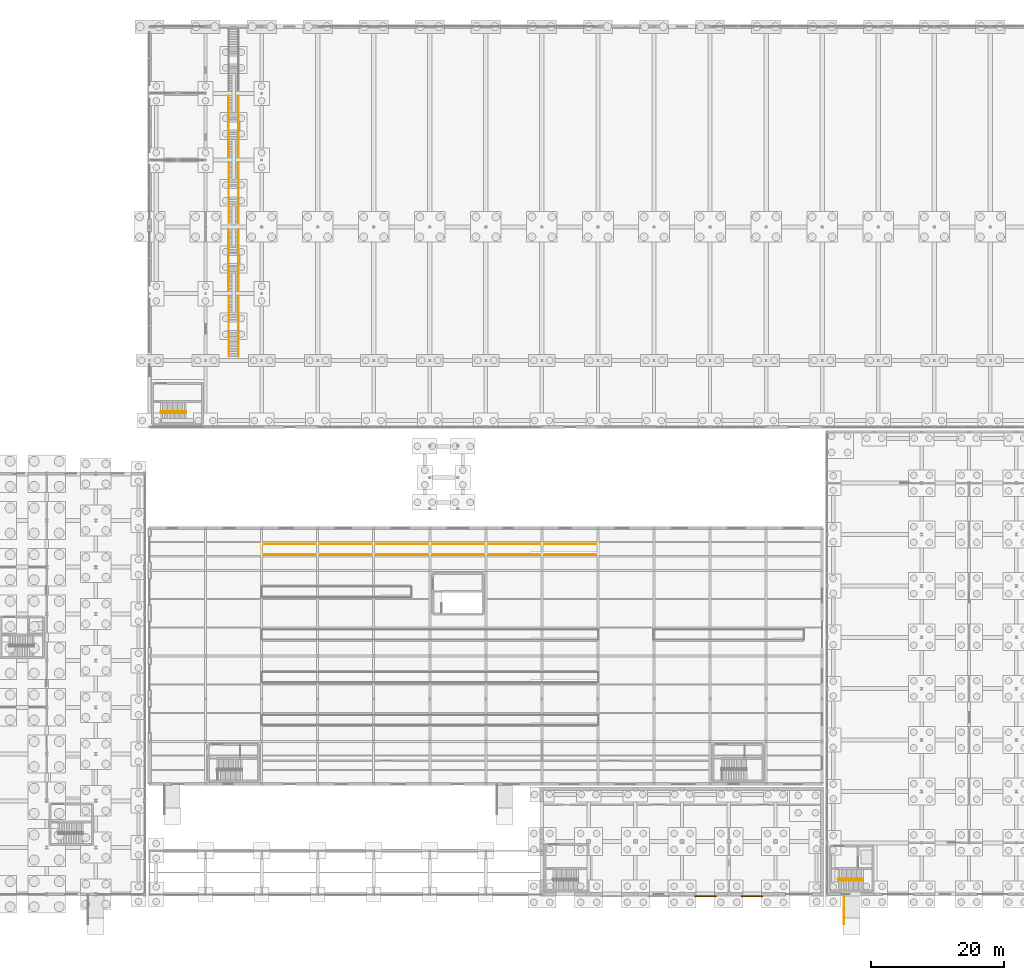
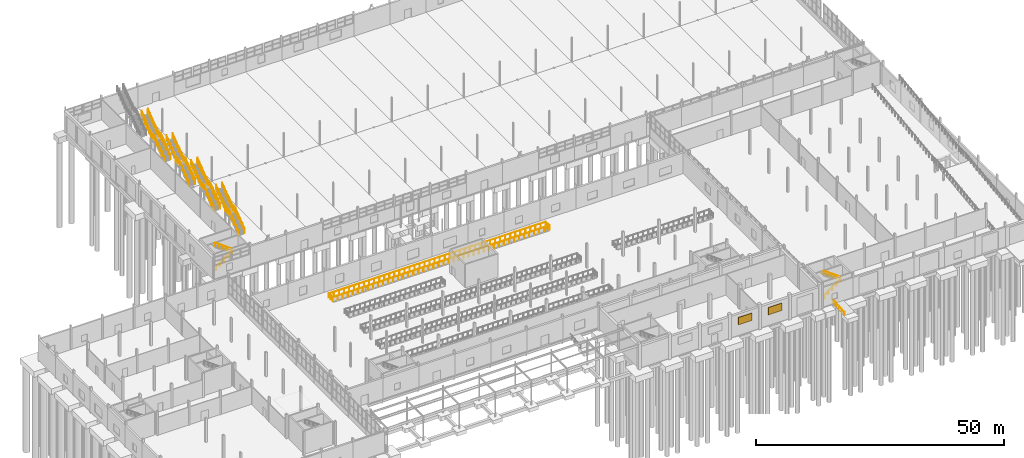
# One storey, part 136 of 139: 18 railings, 2 shading devices.
"""IFC4 building model written with IfcOpenShell, lengths in metres."""

from ifc_helpers import new_model, si_unit, direction, frame, origin, origin_2d, place, context, subcontext, project, spatial, rectangle, circle, extrude, material, layer, layer_set, type_object, element, save


model = new_model("IFC4")

# Units and contexts
model_context = context("Model", 3, precision=1e-05, world=origin(), true_north=direction((0.0, 1.0)))
body_context = subcontext(model_context, "Body", "Model", "MODEL_VIEW")
ifc_project = project(units=[si_unit("LENGTHUNIT", "METRE"), si_unit("AREAUNIT", "SQUARE_METRE"), si_unit("VOLUMEUNIT", "CUBIC_METRE"), si_unit("PLANEANGLEUNIT", "RADIAN"), si_unit("MASSUNIT", "GRAM", prefix="KILO")], contexts=[model_context])

# Site, building, storey
site_placement = place(None, origin())
site = spatial("IfcSite", under=ifc_project, at=site_placement, CompositionType="ELEMENT")
building_placement = place(site_placement, origin())
building = spatial("IfcBuilding", under=site, at=building_placement, Name="Kazenagashi Tramway Depot", CompositionType="ELEMENT")
storey_placement = place(building_placement, origin())
storey = spatial("IfcBuildingStorey", under=building, at=storey_placement, Name="L01", CompositionType="ELEMENT", Elevation=0.0)

# Railings
ifc_material_1 = material(Name="Galvanised Painted Steel Balustrade", Category="steel")
railing_type_1 = type_object("IfcRailingType", Name="GR-01", PredefinedType="GUARDRAIL", material=ifc_material_1)
railing_1_placement = place(storey_placement, frame((61.54, 50.94, 0.0)))
element("IfcRailing", 1, at=railing_1_placement, inside=storey, type_object=railing_type_1, Name="Inspection Pit 5 Perimeter Guardrail", PredefinedType="GUARDRAIL", context=body_context, shape_type="SweptSolid", body=[
    extrude(circle(Radius=0.024, at=origin_2d()), frame((0.0, 0.0, 1.126), z_axis=(1.0, 0.0, 0.0), x_axis=(0.0, 1.0, 0.0)), (0.0, 0.0, 1.0), 50.52),
    extrude(circle(Radius=0.024, at=origin_2d()), frame((50.52, 0.0, 1.126), z_axis=(0.0, 1.0, 0.0), x_axis=(-1.0, 0.0, 0.0)), (0.0, 0.0, 1.0), 1.52),
    extrude(circle(Radius=0.024, at=origin_2d()), frame((50.52, 1.52, 1.126), z_axis=(-1.0, 0.0, 0.0), x_axis=(0.0, -1.0, 0.0)), (0.0, 0.0, 1.0), 50.52),
    extrude(circle(Radius=0.024, at=origin_2d()), frame((0.0, 1.52, 1.126), z_axis=(0.0, -1.0, 0.0), x_axis=(1.0, 0.0, 0.0)), (0.0, 0.0, 1.0), 1.52),
    extrude(circle(Radius=0.021, at=origin_2d()), origin(), (0.0, 0.0, 1.0), 1.102),
    extrude(circle(Radius=0.021, at=origin_2d()), frame((1.174884, 0.0, 0.0)), (0.0, 0.0, 1.0), 1.102),
    extrude(circle(Radius=0.021, at=origin_2d()), frame((2.349767, 0.0, 0.0)), (0.0, 0.0, 1.0), 1.102),
    extrude(circle(Radius=0.021, at=origin_2d()), frame((3.524651, 0.0, 0.0)), (0.0, 0.0, 1.0), 1.102),
    extrude(circle(Radius=0.021, at=origin_2d()), frame((4.699535, 0.0, 0.0)), (0.0, 0.0, 1.0), 1.102),
    extrude(circle(Radius=0.021, at=origin_2d()), frame((5.874419, 0.0, 0.0)), (0.0, 0.0, 1.0), 1.102),
    extrude(circle(Radius=0.021, at=origin_2d()), frame((7.049302, 0.0, 0.0)), (0.0, 0.0, 1.0), 1.102),
    extrude(circle(Radius=0.021, at=origin_2d()), frame((8.224186, 0.0, 0.0)), (0.0, 0.0, 1.0), 1.102),
    extrude(circle(Radius=0.021, at=origin_2d()), frame((9.39907, 0.0, 0.0)), (0.0, 0.0, 1.0), 1.102),
    extrude(circle(Radius=0.021, at=origin_2d()), frame((10.573953, 0.0, 0.0)), (0.0, 0.0, 1.0), 1.102),
    extrude(circle(Radius=0.021, at=origin_2d()), frame((11.748837, 0.0, 0.0)), (0.0, 0.0, 1.0), 1.102),
    extrude(circle(Radius=0.021, at=origin_2d()), frame((12.923721, 0.0, 0.0)), (0.0, 0.0, 1.0), 1.102),
    extrude(circle(Radius=0.021, at=origin_2d()), frame((14.098605, 0.0, 0.0)), (0.0, 0.0, 1.0), 1.102),
    extrude(circle(Radius=0.021, at=origin_2d()), frame((15.273488, 0.0, 0.0)), (0.0, 0.0, 1.0), 1.102),
    extrude(circle(Radius=0.021, at=origin_2d()), frame((16.448372, 0.0, 0.0)), (0.0, 0.0, 1.0), 1.102),
    extrude(circle(Radius=0.021, at=origin_2d()), frame((17.623256, 0.0, 0.0)), (0.0, 0.0, 1.0), 1.102),
    extrude(circle(Radius=0.021, at=origin_2d()), frame((18.79814, 0.0, 0.0)), (0.0, 0.0, 1.0), 1.102),
    extrude(circle(Radius=0.021, at=origin_2d()), frame((19.973023, 0.0, 0.0)), (0.0, 0.0, 1.0), 1.102),
    extrude(circle(Radius=0.021, at=origin_2d()), frame((21.147907, 0.0, 0.0)), (0.0, 0.0, 1.0), 1.102),
    extrude(circle(Radius=0.021, at=origin_2d()), frame((22.322791, 0.0, 0.0)), (0.0, 0.0, 1.0), 1.102),
    extrude(circle(Radius=0.021, at=origin_2d()), frame((23.497674, 0.0, 0.0)), (0.0, 0.0, 1.0), 1.102),
    extrude(circle(Radius=0.021, at=origin_2d()), frame((24.672558, 0.0, 0.0)), (0.0, 0.0, 1.0), 1.102),
    extrude(circle(Radius=0.021, at=origin_2d()), frame((25.847442, 0.0, 0.0)), (0.0, 0.0, 1.0), 1.102),
    extrude(circle(Radius=0.021, at=origin_2d()), frame((27.022326, 0.0, 0.0)), (0.0, 0.0, 1.0), 1.102),
    extrude(circle(Radius=0.021, at=origin_2d()), frame((28.197209, 0.0, 0.0)), (0.0, 0.0, 1.0), 1.102),
    extrude(circle(Radius=0.021, at=origin_2d()), frame((29.372093, 0.0, 0.0)), (0.0, 0.0, 1.0), 1.102),
    extrude(circle(Radius=0.021, at=origin_2d()), frame((30.546977, 0.0, 0.0)), (0.0, 0.0, 1.0), 1.102),
    extrude(circle(Radius=0.021, at=origin_2d()), frame((31.72186, 0.0, 0.0)), (0.0, 0.0, 1.0), 1.102),
    extrude(circle(Radius=0.021, at=origin_2d()), frame((32.896744, 0.0, 0.0)), (0.0, 0.0, 1.0), 1.102),
    extrude(circle(Radius=0.021, at=origin_2d()), frame((34.071628, 0.0, 0.0)), (0.0, 0.0, 1.0), 1.102),
    extrude(circle(Radius=0.021, at=origin_2d()), frame((35.246512, 0.0, 0.0)), (0.0, 0.0, 1.0), 1.102),
    extrude(circle(Radius=0.021, at=origin_2d()), frame((36.421395, 0.0, 0.0)), (0.0, 0.0, 1.0), 1.102),
    extrude(circle(Radius=0.021, at=origin_2d()), frame((37.596279, 0.0, 0.0)), (0.0, 0.0, 1.0), 1.102),
    extrude(circle(Radius=0.021, at=origin_2d()), frame((38.771163, 0.0, 0.0)), (0.0, 0.0, 1.0), 1.102),
    extrude(circle(Radius=0.021, at=origin_2d()), frame((39.946047, 0.0, 0.0)), (0.0, 0.0, 1.0), 1.102),
    extrude(circle(Radius=0.021, at=origin_2d()), frame((41.12093, 0.0, 0.0)), (0.0, 0.0, 1.0), 1.102),
    extrude(circle(Radius=0.021, at=origin_2d()), frame((42.295814, 0.0, 0.0)), (0.0, 0.0, 1.0), 1.102),
    extrude(circle(Radius=0.021, at=origin_2d()), frame((43.470698, 0.0, 0.0)), (0.0, 0.0, 1.0), 1.102),
    extrude(circle(Radius=0.021, at=origin_2d()), frame((44.645581, 0.0, 0.0)), (0.0, 0.0, 1.0), 1.102),
    extrude(circle(Radius=0.021, at=origin_2d()), frame((45.820465, 0.0, 0.0)), (0.0, 0.0, 1.0), 1.102),
    extrude(circle(Radius=0.021, at=origin_2d()), frame((46.995349, 0.0, 0.0)), (0.0, 0.0, 1.0), 1.102),
    extrude(circle(Radius=0.021, at=origin_2d()), frame((48.170233, 0.0, 0.0)), (0.0, 0.0, 1.0), 1.102),
    extrude(circle(Radius=0.021, at=origin_2d()), frame((49.345116, 0.0, 0.0)), (0.0, 0.0, 1.0), 1.102),
    extrude(circle(Radius=0.021, at=origin_2d()), frame((50.52, 0.0, 0.0)), (0.0, 0.0, 1.0), 1.102),
    extrude(circle(Radius=0.021, at=origin_2d()), frame((50.52, 0.76, 0.0)), (0.0, 0.0, 1.0), 1.102),
    extrude(circle(Radius=0.021, at=origin_2d()), frame((50.52, 1.52, 0.0)), (0.0, 0.0, 1.0), 1.102),
    extrude(circle(Radius=0.021, at=origin_2d()), frame((49.345116, 1.52, 0.0)), (0.0, 0.0, 1.0), 1.102),
    extrude(circle(Radius=0.021, at=origin_2d()), frame((48.170233, 1.52, 0.0)), (0.0, 0.0, 1.0), 1.102),
    extrude(circle(Radius=0.021, at=origin_2d()), frame((46.995349, 1.52, 0.0)), (0.0, 0.0, 1.0), 1.102),
    extrude(circle(Radius=0.021, at=origin_2d()), frame((45.820465, 1.52, 0.0)), (0.0, 0.0, 1.0), 1.102),
    extrude(circle(Radius=0.021, at=origin_2d()), frame((44.645581, 1.52, 0.0)), (0.0, 0.0, 1.0), 1.102),
    extrude(circle(Radius=0.021, at=origin_2d()), frame((43.470698, 1.52, 0.0)), (0.0, 0.0, 1.0), 1.102),
    extrude(circle(Radius=0.021, at=origin_2d()), frame((42.295814, 1.52, 0.0)), (0.0, 0.0, 1.0), 1.102),
    extrude(circle(Radius=0.021, at=origin_2d()), frame((41.12093, 1.52, 0.0)), (0.0, 0.0, 1.0), 1.102),
    extrude(circle(Radius=0.021, at=origin_2d()), frame((39.946047, 1.52, 0.0)), (0.0, 0.0, 1.0), 1.102),
    extrude(circle(Radius=0.021, at=origin_2d()), frame((38.771163, 1.52, 0.0)), (0.0, 0.0, 1.0), 1.102),
    extrude(circle(Radius=0.021, at=origin_2d()), frame((37.596279, 1.52, 0.0)), (0.0, 0.0, 1.0), 1.102),
    extrude(circle(Radius=0.021, at=origin_2d()), frame((36.421395, 1.52, 0.0)), (0.0, 0.0, 1.0), 1.102),
    extrude(circle(Radius=0.021, at=origin_2d()), frame((35.246512, 1.52, 0.0)), (0.0, 0.0, 1.0), 1.102),
    extrude(circle(Radius=0.021, at=origin_2d()), frame((34.071628, 1.52, 0.0)), (0.0, 0.0, 1.0), 1.102),
    extrude(circle(Radius=0.021, at=origin_2d()), frame((32.896744, 1.52, 0.0)), (0.0, 0.0, 1.0), 1.102),
    extrude(circle(Radius=0.021, at=origin_2d()), frame((31.72186, 1.52, 0.0)), (0.0, 0.0, 1.0), 1.102),
    extrude(circle(Radius=0.021, at=origin_2d()), frame((30.546977, 1.52, 0.0)), (0.0, 0.0, 1.0), 1.102),
    extrude(circle(Radius=0.021, at=origin_2d()), frame((29.372093, 1.52, 0.0)), (0.0, 0.0, 1.0), 1.102),
    extrude(circle(Radius=0.021, at=origin_2d()), frame((28.197209, 1.52, 0.0)), (0.0, 0.0, 1.0), 1.102),
    extrude(circle(Radius=0.021, at=origin_2d()), frame((27.022326, 1.52, 0.0)), (0.0, 0.0, 1.0), 1.102),
    extrude(circle(Radius=0.021, at=origin_2d()), frame((25.847442, 1.52, 0.0)), (0.0, 0.0, 1.0), 1.102),
    extrude(circle(Radius=0.021, at=origin_2d()), frame((24.672558, 1.52, 0.0)), (0.0, 0.0, 1.0), 1.102),
    extrude(circle(Radius=0.021, at=origin_2d()), frame((23.497674, 1.52, 0.0)), (0.0, 0.0, 1.0), 1.102),
    extrude(circle(Radius=0.021, at=origin_2d()), frame((22.322791, 1.52, 0.0)), (0.0, 0.0, 1.0), 1.102),
    extrude(circle(Radius=0.021, at=origin_2d()), frame((21.147907, 1.52, 0.0)), (0.0, 0.0, 1.0), 1.102),
    extrude(circle(Radius=0.021, at=origin_2d()), frame((19.973023, 1.52, 0.0)), (0.0, 0.0, 1.0), 1.102),
    extrude(circle(Radius=0.021, at=origin_2d()), frame((18.79814, 1.52, 0.0)), (0.0, 0.0, 1.0), 1.102),
    extrude(circle(Radius=0.021, at=origin_2d()), frame((17.623256, 1.52, 0.0)), (0.0, 0.0, 1.0), 1.102),
    extrude(circle(Radius=0.021, at=origin_2d()), frame((16.448372, 1.52, 0.0)), (0.0, 0.0, 1.0), 1.102),
    extrude(circle(Radius=0.021, at=origin_2d()), frame((15.273488, 1.52, 0.0)), (0.0, 0.0, 1.0), 1.102),
    extrude(circle(Radius=0.021, at=origin_2d()), frame((14.098605, 1.52, 0.0)), (0.0, 0.0, 1.0), 1.102),
    extrude(circle(Radius=0.021, at=origin_2d()), frame((12.923721, 1.52, 0.0)), (0.0, 0.0, 1.0), 1.102),
    extrude(circle(Radius=0.021, at=origin_2d()), frame((11.748837, 1.52, 0.0)), (0.0, 0.0, 1.0), 1.102),
    extrude(circle(Radius=0.021, at=origin_2d()), frame((10.573953, 1.52, 0.0)), (0.0, 0.0, 1.0), 1.102),
    extrude(circle(Radius=0.021, at=origin_2d()), frame((9.39907, 1.52, 0.0)), (0.0, 0.0, 1.0), 1.102),
    extrude(circle(Radius=0.021, at=origin_2d()), frame((8.224186, 1.52, 0.0)), (0.0, 0.0, 1.0), 1.102),
    extrude(circle(Radius=0.021, at=origin_2d()), frame((7.049302, 1.52, 0.0)), (0.0, 0.0, 1.0), 1.102),
    extrude(circle(Radius=0.021, at=origin_2d()), frame((5.874419, 1.52, 0.0)), (0.0, 0.0, 1.0), 1.102),
    extrude(circle(Radius=0.021, at=origin_2d()), frame((4.699535, 1.52, 0.0)), (0.0, 0.0, 1.0), 1.102),
    extrude(circle(Radius=0.021, at=origin_2d()), frame((3.524651, 1.52, 0.0)), (0.0, 0.0, 1.0), 1.102),
    extrude(circle(Radius=0.021, at=origin_2d()), frame((2.349767, 1.52, 0.0)), (0.0, 0.0, 1.0), 1.102),
    extrude(circle(Radius=0.021, at=origin_2d()), frame((1.174884, 1.52, 0.0)), (0.0, 0.0, 1.0), 1.102),
    extrude(circle(Radius=0.021, at=origin_2d()), frame((0.0, 1.52, 0.0)), (0.0, 0.0, 1.0), 1.102),
    extrude(circle(Radius=0.021, at=origin_2d()), frame((0.0, 0.76, 0.0)), (0.0, 0.0, 1.0), 1.102),
])
for number, where, name in (
    (2, (56.68, 80.55, 0.188), "Stair ST-29 W Side Guardrail"),
    (3, (58.12, 80.55, 0.188), "Stair ST-29 E Side Guardrail"),
    (4, (56.655, 90.55, 0.188), "Stair ST-30 W Side Guardrail"),
    (5, (58.145, 90.55, 0.188), "Stair ST-30 E Side Guardrail"),
    (6, (56.68, 100.55, 0.188), "Stair ST-31 W Side Guardrail"),
    (7, (58.12, 100.55, 0.188), "Stair ST-31 E Side Guardrail"),
    (8, (56.655, 110.55, 0.188), "Stair ST-32 W Side Guardrail"),
    (9, (58.145, 110.55, 0.188), "Stair ST-32 E Side Guardrail"),
):
    element("IfcRailing", number, at=place(storey_placement, frame(where)), inside=storey, type_object=railing_type_1, Name=name, PredefinedType="GUARDRAIL", context=body_context, shape_type="SweptSolid", body=[
        extrude(circle(Radius=0.024, at=origin_2d()), frame((0.0, 0.0, 1.126), z_axis=(0.0, 0.802337232767, 0.59687097845), x_axis=(-1.0, 0.0, 0.0)), (0.0, 0.0, 1.0), 4.711236),
        extrude(circle(Radius=0.024, at=origin_2d()), frame((0.0, 3.78, 3.938), z_axis=(0.0, 1.0, 0.0), x_axis=(-1.0, 0.0, 0.0)), (0.0, 0.0, 1.0), 1.55),
        extrude(circle(Radius=0.024, at=origin_2d()), frame((0.0, 5.33, 3.938), z_axis=(0.0, 0.783288903051, 0.621657859564), x_axis=(-1.0, 0.0, 0.0)), (0.0, 0.0, 1.0), 4.825806),
        extrude(circle(Radius=0.021, at=origin_2d()), origin(), (0.0, 0.0, 1.0), 1.102),
        extrude(circle(Radius=0.021, at=origin_2d()), frame((0.0, 0.945, 0.703)), (0.0, 0.0, 1.0), 1.102),
        extrude(circle(Radius=0.021, at=origin_2d()), frame((0.0, 1.89, 1.406)), (0.0, 0.0, 1.0), 1.102),
        extrude(circle(Radius=0.021, at=origin_2d()), frame((0.0, 2.835, 2.109)), (0.0, 0.0, 1.0), 1.102),
        extrude(circle(Radius=0.021, at=origin_2d()), frame((0.0, 3.78, 2.812)), (0.0, 0.0, 1.0), 1.102),
        extrude(circle(Radius=0.021, at=origin_2d()), frame((0.0, 4.555, 2.812)), (0.0, 0.0, 1.0), 1.102),
        extrude(circle(Radius=0.021, at=origin_2d()), frame((0.0, 5.33, 2.812)), (0.0, 0.0, 1.0), 1.102),
        extrude(circle(Radius=0.021, at=origin_2d()), frame((0.0, 6.086, 3.412)), (0.0, 0.0, 1.0), 1.102),
        extrude(circle(Radius=0.021, at=origin_2d()), frame((0.0, 6.842, 4.012)), (0.0, 0.0, 1.0), 1.102),
        extrude(circle(Radius=0.021, at=origin_2d()), frame((0.0, 7.598, 4.612)), (0.0, 0.0, 1.0), 1.102),
        extrude(circle(Radius=0.021, at=origin_2d()), frame((0.0, 8.354, 5.212)), (0.0, 0.0, 1.0), 1.102),
        extrude(circle(Radius=0.021, at=origin_2d()), frame((0.0, 9.11, 5.812)), (0.0, 0.0, 1.0), 1.102),
    ])
ifc_material_2 = material(Name="Brushed Stainless Steel Handrail", Category="steel")
railing_type_2 = type_object("IfcRailingType", Name="HR-01", PredefinedType="HANDRAIL", material=ifc_material_2)
railing_2_placement = place(storey_placement, frame((148.02, 2.07, 0.188)))
element("IfcRailing", 10, at=railing_2_placement, inside=storey, type_object=railing_type_2, Name="Stair ST-23 Lower Handrail", PredefinedType="HANDRAIL", context=body_context, shape_type="SweptSolid", body=[
    extrude(circle(Radius=0.024, at=origin_2d()), frame((0.0, 0.0, 0.876), z_axis=(0.799281356131, 0.0, 0.600956998246), x_axis=(0.0, 1.0, 0.0)), (0.0, 0.0, 1.0), 4.679203),
    extrude(circle(Radius=0.021, at=origin_2d()), origin(), (0.0, 0.0, 1.0), 0.852),
    extrude(circle(Radius=0.021, at=origin_2d()), frame((0.935, 0.0, 0.703)), (0.0, 0.0, 1.0), 0.852),
    extrude(circle(Radius=0.021, at=origin_2d()), frame((1.87, 0.0, 1.406)), (0.0, 0.0, 1.0), 0.852),
    extrude(circle(Radius=0.021, at=origin_2d()), frame((2.805, 0.0, 2.109)), (0.0, 0.0, 1.0), 0.852),
    extrude(circle(Radius=0.021, at=origin_2d()), frame((3.74, 0.0, 2.812)), (0.0, 0.0, 1.0), 0.852),
])
railing_3_placement = place(storey_placement, frame((151.76, 2.33, 3.188)))
element("IfcRailing", 11, at=railing_3_placement, inside=storey, type_object=railing_type_2, Name="Stair ST-23 Upper Handrail", PredefinedType="HANDRAIL", context=body_context, shape_type="SweptSolid", body=[
    extrude(circle(Radius=0.024, at=origin_2d()), frame((0.0, 0.0, 0.876), z_axis=(-0.802337232767, 0.0, 0.59687097845), x_axis=(0.0, -1.0, 0.0)), (0.0, 0.0, 1.0), 4.711236),
    extrude(circle(Radius=0.021, at=origin_2d()), origin(), (0.0, 0.0, 1.0), 0.852),
    extrude(circle(Radius=0.021, at=origin_2d()), frame((-0.945, 0.0, 0.703)), (0.0, 0.0, 1.0), 0.852),
    extrude(circle(Radius=0.021, at=origin_2d()), frame((-1.89, 0.0, 1.406)), (0.0, 0.0, 1.0), 0.852),
    extrude(circle(Radius=0.021, at=origin_2d()), frame((-2.835, 0.0, 2.109)), (0.0, 0.0, 1.0), 0.852),
    extrude(circle(Radius=0.021, at=origin_2d()), frame((-3.78, 0.0, 2.812)), (0.0, 0.0, 1.0), 0.852),
])
railing_4_placement = place(storey_placement, frame((46.52, 72.07, 0.188)))
element("IfcRailing", 12, at=railing_4_placement, inside=storey, type_object=railing_type_2, Name="Stair ST-27 Lower Handrail", PredefinedType="HANDRAIL", context=body_context, shape_type="SweptSolid", body=[
    extrude(circle(Radius=0.024, at=origin_2d()), frame((0.0, 0.0, 0.876), z_axis=(0.799281356131, 0.0, 0.600956998246), x_axis=(0.0, 1.0, 0.0)), (0.0, 0.0, 1.0), 4.679203),
    extrude(circle(Radius=0.021, at=origin_2d()), origin(), (0.0, 0.0, 1.0), 0.852),
    extrude(circle(Radius=0.021, at=origin_2d()), frame((0.935, 0.0, 0.703)), (0.0, 0.0, 1.0), 0.852),
    extrude(circle(Radius=0.021, at=origin_2d()), frame((1.87, 0.0, 1.406)), (0.0, 0.0, 1.0), 0.852),
    extrude(circle(Radius=0.021, at=origin_2d()), frame((2.805, 0.0, 2.109)), (0.0, 0.0, 1.0), 0.852),
    extrude(circle(Radius=0.021, at=origin_2d()), frame((3.74, 0.0, 2.812)), (0.0, 0.0, 1.0), 0.852),
])
railing_5_placement = place(storey_placement, frame((50.26, 72.33, 3.188)))
element("IfcRailing", 13, at=railing_5_placement, inside=storey, type_object=railing_type_2, Name="Stair ST-27 Upper Handrail", PredefinedType="HANDRAIL", context=body_context, shape_type="SweptSolid", body=[
    extrude(circle(Radius=0.024, at=origin_2d()), frame((0.0, 0.0, 0.876), z_axis=(-0.802337232767, 0.0, 0.59687097845), x_axis=(0.0, -1.0, 0.0)), (0.0, 0.0, 1.0), 4.711236),
    extrude(circle(Radius=0.021, at=origin_2d()), origin(), (0.0, 0.0, 1.0), 0.852),
    extrude(circle(Radius=0.021, at=origin_2d()), frame((-0.945, 0.0, 0.703)), (0.0, 0.0, 1.0), 0.852),
    extrude(circle(Radius=0.021, at=origin_2d()), frame((-1.89, 0.0, 1.406)), (0.0, 0.0, 1.0), 0.852),
    extrude(circle(Radius=0.021, at=origin_2d()), frame((-2.835, 0.0, 2.109)), (0.0, 0.0, 1.0), 0.852),
    extrude(circle(Radius=0.021, at=origin_2d()), frame((-3.78, 0.0, 2.812)), (0.0, 0.0, 1.0), 0.852),
])
for number, where, name in (
    (14, (58.09, 80.55, 0.188), "Stair ST-29 Handrail"),
    (15, (58.115, 90.55, 0.188), "Stair ST-30 Handrail"),
    (16, (58.09, 100.55, 0.188), "Stair ST-31 Handrail"),
    (17, (58.115, 110.55, 0.188), "Stair ST-32 Handrail"),
):
    element("IfcRailing", number, at=place(storey_placement, frame(where)), inside=storey, type_object=railing_type_2, Name=name, PredefinedType="HANDRAIL", context=body_context, shape_type="SweptSolid", body=[
        extrude(circle(Radius=0.024, at=origin_2d()), frame((0.0, 0.0, 0.876), z_axis=(0.0, 0.843043630722, 0.537845179117), x_axis=(-1.0, 0.0, 0.0)), (0.0, 0.0, 1.0), 10.806084),
        extrude(circle(Radius=0.021, at=origin_2d()), origin(), (0.0, 0.0, 1.0), 0.852),
        extrude(circle(Radius=0.021, at=origin_2d()), frame((0.0, 0.911, 0.5812)), (0.0, 0.0, 1.0), 0.852),
        extrude(circle(Radius=0.021, at=origin_2d()), frame((0.0, 1.822, 1.1624)), (0.0, 0.0, 1.0), 0.852),
        extrude(circle(Radius=0.021, at=origin_2d()), frame((0.0, 2.733, 1.7436)), (0.0, 0.0, 1.0), 0.852),
        extrude(circle(Radius=0.021, at=origin_2d()), frame((0.0, 3.644, 2.3248)), (0.0, 0.0, 1.0), 0.852),
        extrude(circle(Radius=0.021, at=origin_2d()), frame((0.0, 4.555, 2.906)), (0.0, 0.0, 1.0), 0.852),
        extrude(circle(Radius=0.021, at=origin_2d()), frame((0.0, 5.466, 3.4872)), (0.0, 0.0, 1.0), 0.852),
        extrude(circle(Radius=0.021, at=origin_2d()), frame((0.0, 6.377, 4.0684)), (0.0, 0.0, 1.0), 0.852),
        extrude(circle(Radius=0.021, at=origin_2d()), frame((0.0, 7.288, 4.6496)), (0.0, 0.0, 1.0), 0.852),
        extrude(circle(Radius=0.021, at=origin_2d()), frame((0.0, 8.199, 5.2308)), (0.0, 0.0, 1.0), 0.852),
        extrude(circle(Radius=0.021, at=origin_2d()), frame((0.0, 9.11, 5.812)), (0.0, 0.0, 1.0), 0.852),
    ])
railing_6_placement = place(storey_placement, frame((148.85, -4.5, -0.3)))
element("IfcRailing", 18, at=railing_6_placement, inside=storey, type_object=railing_type_2, Name="Wash Plant Pedestrian Access Ramp Handrail", PredefinedType="HANDRAIL", context=body_context, shape_type="SweptSolid", body=[
    extrude(circle(Radius=0.024, at=origin_2d()), frame((0.0, 0.0, 0.876), z_axis=(0.0, 0.997785157857, 0.066519010524), x_axis=(-1.0, 0.0, 0.0)), (0.0, 0.0, 1.0), 4.509989),
    extrude(circle(Radius=0.021, at=origin_2d()), origin(), (0.0, 0.0, 1.0), 0.852),
    extrude(circle(Radius=0.021, at=origin_2d()), frame((0.0, 1.125, 0.075)), (0.0, 0.0, 1.0), 0.852),
    extrude(circle(Radius=0.021, at=origin_2d()), frame((0.0, 2.25, 0.15)), (0.0, 0.0, 1.0), 0.852),
    extrude(circle(Radius=0.021, at=origin_2d()), frame((0.0, 3.375, 0.225)), (0.0, 0.0, 1.0), 0.852),
    extrude(circle(Radius=0.021, at=origin_2d()), frame((0.0, 4.5, 0.3)), (0.0, 0.0, 1.0), 0.852),
])

# Shading devices
ifc_material_3 = material(Name="Anodised Aluminium Acoustic Louvre", Category="aluminium")
ifc_layer = layer(ifc_material_3, 0.15)
ifc_layer_set = layer_set([ifc_layer], Name="Anodised Aluminium Acoustic Louvre")
shading_device_type = type_object("IfcShadingDeviceType", Name="SH-LV1", PredefinedType="JALOUSIE", material=ifc_layer_set)
for number, where, z_axis, x_axis, name in (
    (19, (128.1, -0.32, 2.7), (0.0, 0.0, 1.0), (1.0, 0.0, 0.0), "Substation Acoustic Louvre Bank 3"),
    (20, (135.1, -0.32, 2.7), (0.0, 0.0, 1.0), (1.0, 0.0, 0.0), "Substation Acoustic Louvre Bank 4"),
):
    element("IfcShadingDevice", number, at=place(storey_placement, frame(where, z_axis=z_axis, x_axis=x_axis)), inside=storey, type_object=shading_device_type, Name=name, PredefinedType="JALOUSIE", context=body_context, shape_type="SweptSolid", body=[
        extrude(rectangle(XDim=3.2, YDim=0.15, at=origin_2d()), origin(), (0.0, 0.0, 1.0), 1.8),
    ])

save(model, "model.ifc")
